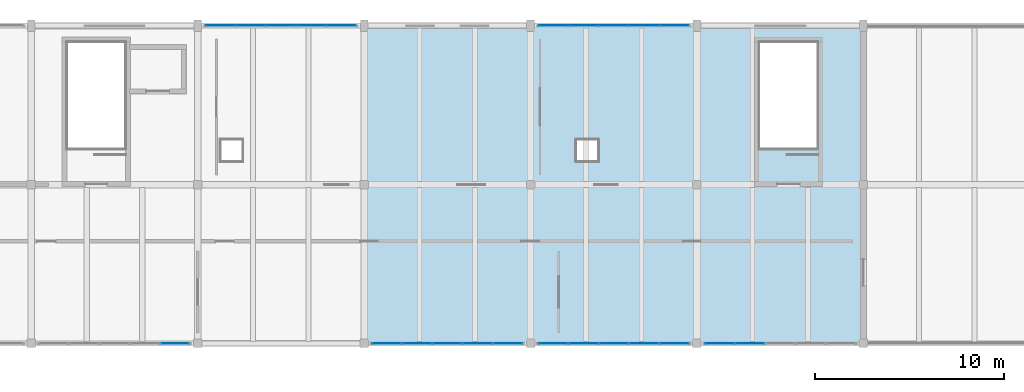
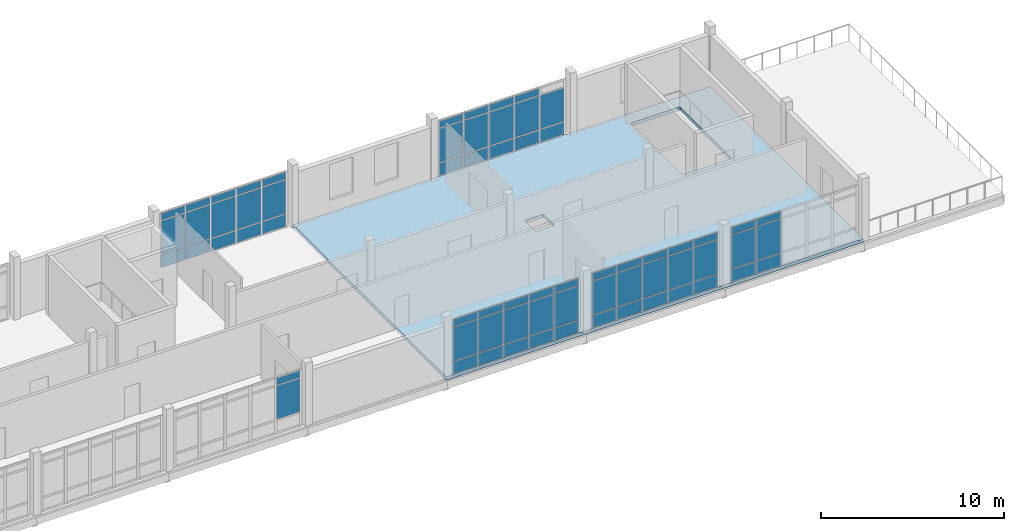
# One storey, part 10 of 13: 67 plates, 1 slab, 6 elements without a shape of their own.
"""IFC4 building model written with IfcOpenShell, lengths in metres."""

from ifc_helpers import new_model, si_unit, direction, frame, origin, origin_2d, place, context, subcontext, project, spatial, polyline, rectangle, outline, extrude, material, layer, layer_set, type_object, element, aggregate, save


model = new_model("IFC4")

# Units and contexts
model_context = context("Model", 3, precision=1e-05, world=origin(), true_north=direction((0.0, 1.0)))
body_context = subcontext(model_context, "Body", "Model", "MODEL_VIEW")
ifc_project = project(units=[si_unit("LENGTHUNIT", "METRE"), si_unit("AREAUNIT", "SQUARE_METRE"), si_unit("VOLUMEUNIT", "CUBIC_METRE"), si_unit("PLANEANGLEUNIT", "RADIAN"), si_unit("MASSUNIT", "GRAM", prefix="KILO")], contexts=[model_context])

# Site, building, storey
site_placement = place(None, origin())
site = spatial("IfcSite", under=ifc_project, at=site_placement, CompositionType="ELEMENT")
building_placement = place(site_placement, origin())
building = spatial("IfcBuilding", under=site, at=building_placement, Name="Cinderway Yard Community Centre", CompositionType="ELEMENT")
storey_placement = place(building_placement, frame((0.0, 0.0, 20.10009765625)))
storey = spatial("IfcBuildingStorey", under=building, at=storey_placement, Name="L05", CompositionType="ELEMENT", Elevation=20.10009765625)

# Curtain wall, plates
ifc_material_1 = material(Name="Aluminium 6063-T6", Category="aluminium")
curtain_wall_type = type_object("IfcCurtainWallType", Name="ENV-CW-TYPE-27", PredefinedType="USERDEFINED", material=ifc_material_1)
curtain_wall_1_placement = place(storey_placement, origin())
curtain_wall_1 = element("IfcCurtainWall", 1, at=curtain_wall_1_placement, inside=storey, type_object=curtain_wall_type, Name="V4 Courtyard Curtain Wall ENV-CW-L05-ST-0191", ObjectType="GLAZED CURTAIN WALL", PredefinedType="USERDEFINED")
ifc_material_2 = material(Name="Laminated Low-E Glass", Category="glass")
ifc_layer_1 = layer(ifc_material_2, 0.028076171875, Name="Laminated Low-E Glass")
ifc_layer_set_1 = layer_set([ifc_layer_1], Name="Laminated Low-E Glass")
plate_type = type_object("IfcPlateType", Name="ENV-CW-PAN-IGU28", PredefinedType="CURTAIN_PANEL", material=ifc_layer_set_1)
plate_1_placement = place(storey_placement, frame((82.801025390625, 98.39990234375, 0.9296875), z_axis=(0.0, 0.0, 1.0), x_axis=(1.0, 0.0, 0.0)))
plate_1 = element("IfcPlate", 2, at=plate_1_placement, type_object=plate_type, Name="CW-27 panel 5.2", PredefinedType="CURTAIN_PANEL", context=body_context, shape_type="SweptSolid", body=[
    extrude(rectangle(XDim=1.51806640625, YDim=0.028076171875, at=origin_2d()), origin(), (0.0, 0.0, 1.0), 2.239990234375),
])
plate_2_placement = place(storey_placement, frame((82.801025390625, 98.39990234375, 3.22998046875), z_axis=(0.0, 0.0, 1.0), x_axis=(1.0, 0.0, 0.0)))
plate_2 = element("IfcPlate", 3, at=plate_2_placement, type_object=plate_type, Name="CW-27 panel 5.3", PredefinedType="CURTAIN_PANEL", context=body_context, shape_type="SweptSolid", body=[
    extrude(rectangle(XDim=1.51806640625, YDim=0.028076171875, at=origin_2d()), origin(), (0.0, 0.0, 1.0), 0.4599609375),
])
aggregate(curtain_wall_1, [plate_1, plate_2])

curtain_wall_2_placement = place(storey_placement, origin())
curtain_wall_2 = element("IfcCurtainWall", 4, at=curtain_wall_2_placement, inside=storey, type_object=curtain_wall_type, Name="V4 Street Curtain Wall ENV-CW-L05-ST-0192", ObjectType="GLAZED CURTAIN WALL", PredefinedType="USERDEFINED")
plate_3_placement = place(storey_placement, frame((85.198974609375, 115.199951171875, 0.059814453125), z_axis=(0.0, 0.0, 1.0), x_axis=(1.0, 0.0, 0.0)))
plate_3 = element("IfcPlate", 5, at=plate_3_placement, type_object=plate_type, Name="CW-27 panel 1.1", PredefinedType="CURTAIN_PANEL", context=body_context, shape_type="SweptSolid", body=[
    extrude(rectangle(XDim=1.51806640625, YDim=0.028076171875, at=origin_2d()), origin(), (0.0, 0.0, 1.0), 0.81005859375),
])
plate_4_placement = place(storey_placement, frame((85.198974609375, 115.199951171875, 0.9296875), z_axis=(0.0, 0.0, 1.0), x_axis=(1.0, 0.0, 0.0)))
plate_4 = element("IfcPlate", 6, at=plate_4_placement, type_object=plate_type, Name="CW-27 panel 1.2", PredefinedType="CURTAIN_PANEL", context=body_context, shape_type="SweptSolid", body=[
    extrude(rectangle(XDim=1.51806640625, YDim=0.028076171875, at=origin_2d()), origin(), (0.0, 0.0, 1.0), 2.239990234375),
])
plate_5_placement = place(storey_placement, frame((85.198974609375, 115.199951171875, 3.22998046875), z_axis=(0.0, 0.0, 1.0), x_axis=(1.0, 0.0, 0.0)))
plate_5 = element("IfcPlate", 7, at=plate_5_placement, type_object=plate_type, Name="CW-27 panel 1.3", PredefinedType="CURTAIN_PANEL", context=body_context, shape_type="SweptSolid", body=[
    extrude(rectangle(XDim=1.51806640625, YDim=0.028076171875, at=origin_2d()), origin(), (0.0, 0.0, 1.0), 0.4599609375),
])
plate_6_placement = place(storey_placement, frame((86.7919921875, 115.199951171875, 0.059814453125), z_axis=(0.0, 0.0, 1.0), x_axis=(1.0, 0.0, 0.0)))
plate_6 = element("IfcPlate", 8, at=plate_6_placement, type_object=plate_type, Name="CW-27 panel 2.1", PredefinedType="CURTAIN_PANEL", context=body_context, shape_type="SweptSolid", body=[
    extrude(rectangle(XDim=1.548095703125, YDim=0.028076171875, at=origin_2d()), origin(), (0.0, 0.0, 1.0), 0.81005859375),
])
plate_7_placement = place(storey_placement, frame((86.7919921875, 115.199951171875, 0.9296875), z_axis=(0.0, 0.0, 1.0), x_axis=(1.0, 0.0, 0.0)))
plate_7 = element("IfcPlate", 9, at=plate_7_placement, type_object=plate_type, Name="CW-27 panel 2.2", PredefinedType="CURTAIN_PANEL", context=body_context, shape_type="SweptSolid", body=[
    extrude(rectangle(XDim=1.548095703125, YDim=0.028076171875, at=origin_2d()), origin(), (0.0, 0.0, 1.0), 2.239990234375),
])
plate_8_placement = place(storey_placement, frame((86.7919921875, 115.199951171875, 3.22998046875), z_axis=(0.0, 0.0, 1.0), x_axis=(1.0, 0.0, 0.0)))
plate_8 = element("IfcPlate", 10, at=plate_8_placement, type_object=plate_type, Name="CW-27 panel 2.3", PredefinedType="CURTAIN_PANEL", context=body_context, shape_type="SweptSolid", body=[
    extrude(rectangle(XDim=1.548095703125, YDim=0.028076171875, at=origin_2d()), origin(), (0.0, 0.0, 1.0), 0.4599609375),
])
plate_9_placement = place(storey_placement, frame((88.39990234375, 115.199951171875, 0.059814453125), z_axis=(0.0, 0.0, 1.0), x_axis=(1.0, 0.0, 0.0)))
plate_9 = element("IfcPlate", 11, at=plate_9_placement, type_object=plate_type, Name="CW-27 panel 3.1", PredefinedType="CURTAIN_PANEL", context=body_context, shape_type="SweptSolid", body=[
    extrude(rectangle(XDim=1.548095703125, YDim=0.028076171875, at=origin_2d()), origin(), (0.0, 0.0, 1.0), 0.81005859375),
])
plate_10_placement = place(storey_placement, frame((88.39990234375, 115.199951171875, 0.9296875), z_axis=(0.0, 0.0, 1.0), x_axis=(1.0, 0.0, 0.0)))
plate_10 = element("IfcPlate", 12, at=plate_10_placement, type_object=plate_type, Name="CW-27 panel 3.2", PredefinedType="CURTAIN_PANEL", context=body_context, shape_type="SweptSolid", body=[
    extrude(rectangle(XDim=1.548095703125, YDim=0.028076171875, at=origin_2d()), origin(), (0.0, 0.0, 1.0), 2.239990234375),
])
plate_11_placement = place(storey_placement, frame((88.39990234375, 115.199951171875, 3.22998046875), z_axis=(0.0, 0.0, 1.0), x_axis=(1.0, 0.0, 0.0)))
plate_11 = element("IfcPlate", 13, at=plate_11_placement, type_object=plate_type, Name="CW-27 panel 3.3", PredefinedType="CURTAIN_PANEL", context=body_context, shape_type="SweptSolid", body=[
    extrude(rectangle(XDim=1.548095703125, YDim=0.028076171875, at=origin_2d()), origin(), (0.0, 0.0, 1.0), 0.4599609375),
])
plate_12_placement = place(storey_placement, frame((90.008056640625, 115.199951171875, 0.059814453125), z_axis=(0.0, 0.0, 1.0), x_axis=(1.0, 0.0, 0.0)))
plate_12 = element("IfcPlate", 14, at=plate_12_placement, type_object=plate_type, Name="CW-27 panel 4.1", PredefinedType="CURTAIN_PANEL", context=body_context, shape_type="SweptSolid", body=[
    extrude(rectangle(XDim=1.548095703125, YDim=0.028076171875, at=origin_2d()), origin(), (0.0, 0.0, 1.0), 0.81005859375),
])
plate_13_placement = place(storey_placement, frame((90.008056640625, 115.199951171875, 0.9296875), z_axis=(0.0, 0.0, 1.0), x_axis=(1.0, 0.0, 0.0)))
plate_13 = element("IfcPlate", 15, at=plate_13_placement, type_object=plate_type, Name="CW-27 panel 4.2", PredefinedType="CURTAIN_PANEL", context=body_context, shape_type="SweptSolid", body=[
    extrude(rectangle(XDim=1.548095703125, YDim=0.028076171875, at=origin_2d()), origin(), (0.0, 0.0, 1.0), 2.239990234375),
])
plate_14_placement = place(storey_placement, frame((90.008056640625, 115.199951171875, 3.22998046875), z_axis=(0.0, 0.0, 1.0), x_axis=(1.0, 0.0, 0.0)))
plate_14 = element("IfcPlate", 16, at=plate_14_placement, type_object=plate_type, Name="CW-27 panel 4.3", PredefinedType="CURTAIN_PANEL", context=body_context, shape_type="SweptSolid", body=[
    extrude(rectangle(XDim=1.548095703125, YDim=0.028076171875, at=origin_2d()), origin(), (0.0, 0.0, 1.0), 0.4599609375),
])
plate_15_placement = place(storey_placement, frame((91.60107421875, 115.199951171875, 0.059814453125), z_axis=(0.0, 0.0, 1.0), x_axis=(1.0, 0.0, 0.0)))
plate_15 = element("IfcPlate", 17, at=plate_15_placement, type_object=plate_type, Name="CW-27 panel 5.1", PredefinedType="CURTAIN_PANEL", context=body_context, shape_type="SweptSolid", body=[
    extrude(rectangle(XDim=1.51806640625, YDim=0.028076171875, at=origin_2d()), origin(), (0.0, 0.0, 1.0), 0.81005859375),
])
plate_16_placement = place(storey_placement, frame((91.60107421875, 115.199951171875, 0.9296875), z_axis=(0.0, 0.0, 1.0), x_axis=(1.0, 0.0, 0.0)))
plate_16 = element("IfcPlate", 18, at=plate_16_placement, type_object=plate_type, Name="CW-27 panel 5.2", PredefinedType="CURTAIN_PANEL", context=body_context, shape_type="SweptSolid", body=[
    extrude(rectangle(XDim=1.51806640625, YDim=0.028076171875, at=origin_2d()), origin(), (0.0, 0.0, 1.0), 2.239990234375),
])
plate_17_placement = place(storey_placement, frame((91.60107421875, 115.199951171875, 3.22998046875), z_axis=(0.0, 0.0, 1.0), x_axis=(1.0, 0.0, 0.0)))
plate_17 = element("IfcPlate", 19, at=plate_17_placement, type_object=plate_type, Name="CW-27 panel 5.3", PredefinedType="CURTAIN_PANEL", context=body_context, shape_type="SweptSolid", body=[
    extrude(rectangle(XDim=1.51806640625, YDim=0.028076171875, at=origin_2d()), origin(), (0.0, 0.0, 1.0), 0.4599609375),
])
aggregate(curtain_wall_2, [plate_3, plate_4, plate_5, plate_6, plate_7, plate_8, plate_9, plate_10, plate_11, plate_12, plate_13, plate_14, plate_15, plate_16, plate_17])

curtain_wall_3_placement = place(storey_placement, origin())
curtain_wall_3 = element("IfcCurtainWall", 20, at=curtain_wall_3_placement, inside=storey, type_object=curtain_wall_type, Name="V4 Courtyard Curtain Wall ENV-CW-L05-ST-0193", ObjectType="GLAZED CURTAIN WALL", PredefinedType="USERDEFINED")
plate_18_placement = place(storey_placement, frame((93.9990234375, 98.39990234375, 0.059814453125), z_axis=(0.0, 0.0, 1.0), x_axis=(1.0, 0.0, 0.0)))
plate_18 = element("IfcPlate", 21, at=plate_18_placement, type_object=plate_type, Name="CW-27 panel 1.1", PredefinedType="CURTAIN_PANEL", context=body_context, shape_type="SweptSolid", body=[
    extrude(rectangle(XDim=1.51806640625, YDim=0.028076171875, at=origin_2d()), origin(), (0.0, 0.0, 1.0), 0.81005859375),
])
plate_19_placement = place(storey_placement, frame((93.9990234375, 98.39990234375, 0.9296875), z_axis=(0.0, 0.0, 1.0), x_axis=(1.0, 0.0, 0.0)))
plate_19 = element("IfcPlate", 22, at=plate_19_placement, type_object=plate_type, Name="CW-27 panel 1.2", PredefinedType="CURTAIN_PANEL", context=body_context, shape_type="SweptSolid", body=[
    extrude(rectangle(XDim=1.51806640625, YDim=0.028076171875, at=origin_2d()), origin(), (0.0, 0.0, 1.0), 2.239990234375),
])
plate_20_placement = place(storey_placement, frame((93.9990234375, 98.39990234375, 3.22998046875), z_axis=(0.0, 0.0, 1.0), x_axis=(1.0, 0.0, 0.0)))
plate_20 = element("IfcPlate", 23, at=plate_20_placement, type_object=plate_type, Name="CW-27 panel 1.3", PredefinedType="CURTAIN_PANEL", context=body_context, shape_type="SweptSolid", body=[
    extrude(rectangle(XDim=1.51806640625, YDim=0.028076171875, at=origin_2d()), origin(), (0.0, 0.0, 1.0), 0.4599609375),
])
plate_21_placement = place(storey_placement, frame((95.592041015625, 98.39990234375, 0.059814453125), z_axis=(0.0, 0.0, 1.0), x_axis=(1.0, 0.0, 0.0)))
plate_21 = element("IfcPlate", 24, at=plate_21_placement, type_object=plate_type, Name="CW-27 panel 2.1", PredefinedType="CURTAIN_PANEL", context=body_context, shape_type="SweptSolid", body=[
    extrude(rectangle(XDim=1.548095703125, YDim=0.028076171875, at=origin_2d()), origin(), (0.0, 0.0, 1.0), 0.81005859375),
])
plate_22_placement = place(storey_placement, frame((95.592041015625, 98.39990234375, 0.9296875), z_axis=(0.0, 0.0, 1.0), x_axis=(1.0, 0.0, 0.0)))
plate_22 = element("IfcPlate", 25, at=plate_22_placement, type_object=plate_type, Name="CW-27 panel 2.2", PredefinedType="CURTAIN_PANEL", context=body_context, shape_type="SweptSolid", body=[
    extrude(rectangle(XDim=1.548095703125, YDim=0.028076171875, at=origin_2d()), origin(), (0.0, 0.0, 1.0), 2.239990234375),
])
plate_23_placement = place(storey_placement, frame((95.592041015625, 98.39990234375, 3.22998046875), z_axis=(0.0, 0.0, 1.0), x_axis=(1.0, 0.0, 0.0)))
plate_23 = element("IfcPlate", 26, at=plate_23_placement, type_object=plate_type, Name="CW-27 panel 2.3", PredefinedType="CURTAIN_PANEL", context=body_context, shape_type="SweptSolid", body=[
    extrude(rectangle(XDim=1.548095703125, YDim=0.028076171875, at=origin_2d()), origin(), (0.0, 0.0, 1.0), 0.4599609375),
])
plate_24_placement = place(storey_placement, frame((97.199951171875, 98.39990234375, 0.059814453125), z_axis=(0.0, 0.0, 1.0), x_axis=(1.0, 0.0, 0.0)))
plate_24 = element("IfcPlate", 27, at=plate_24_placement, type_object=plate_type, Name="CW-27 panel 3.1", PredefinedType="CURTAIN_PANEL", context=body_context, shape_type="SweptSolid", body=[
    extrude(rectangle(XDim=1.548095703125, YDim=0.028076171875, at=origin_2d()), origin(), (0.0, 0.0, 1.0), 0.81005859375),
])
plate_25_placement = place(storey_placement, frame((97.199951171875, 98.39990234375, 0.9296875), z_axis=(0.0, 0.0, 1.0), x_axis=(1.0, 0.0, 0.0)))
plate_25 = element("IfcPlate", 28, at=plate_25_placement, type_object=plate_type, Name="CW-27 panel 3.2", PredefinedType="CURTAIN_PANEL", context=body_context, shape_type="SweptSolid", body=[
    extrude(rectangle(XDim=1.548095703125, YDim=0.028076171875, at=origin_2d()), origin(), (0.0, 0.0, 1.0), 2.239990234375),
])
plate_26_placement = place(storey_placement, frame((97.199951171875, 98.39990234375, 3.22998046875), z_axis=(0.0, 0.0, 1.0), x_axis=(1.0, 0.0, 0.0)))
plate_26 = element("IfcPlate", 29, at=plate_26_placement, type_object=plate_type, Name="CW-27 panel 3.3", PredefinedType="CURTAIN_PANEL", context=body_context, shape_type="SweptSolid", body=[
    extrude(rectangle(XDim=1.548095703125, YDim=0.028076171875, at=origin_2d()), origin(), (0.0, 0.0, 1.0), 0.4599609375),
])
plate_27_placement = place(storey_placement, frame((98.80810546875, 98.39990234375, 0.059814453125), z_axis=(0.0, 0.0, 1.0), x_axis=(1.0, 0.0, 0.0)))
plate_27 = element("IfcPlate", 30, at=plate_27_placement, type_object=plate_type, Name="CW-27 panel 4.1", PredefinedType="CURTAIN_PANEL", context=body_context, shape_type="SweptSolid", body=[
    extrude(rectangle(XDim=1.548095703125, YDim=0.028076171875, at=origin_2d()), origin(), (0.0, 0.0, 1.0), 0.81005859375),
])
plate_28_placement = place(storey_placement, frame((98.80810546875, 98.39990234375, 0.9296875), z_axis=(0.0, 0.0, 1.0), x_axis=(1.0, 0.0, 0.0)))
plate_28 = element("IfcPlate", 31, at=plate_28_placement, type_object=plate_type, Name="CW-27 panel 4.2", PredefinedType="CURTAIN_PANEL", context=body_context, shape_type="SweptSolid", body=[
    extrude(rectangle(XDim=1.548095703125, YDim=0.028076171875, at=origin_2d()), origin(), (0.0, 0.0, 1.0), 2.239990234375),
])
plate_29_placement = place(storey_placement, frame((98.80810546875, 98.39990234375, 3.22998046875), z_axis=(0.0, 0.0, 1.0), x_axis=(1.0, 0.0, 0.0)))
plate_29 = element("IfcPlate", 32, at=plate_29_placement, type_object=plate_type, Name="CW-27 panel 4.3", PredefinedType="CURTAIN_PANEL", context=body_context, shape_type="SweptSolid", body=[
    extrude(rectangle(XDim=1.548095703125, YDim=0.028076171875, at=origin_2d()), origin(), (0.0, 0.0, 1.0), 0.4599609375),
])
plate_30_placement = place(storey_placement, frame((100.40087890625, 98.39990234375, 0.059814453125), z_axis=(0.0, 0.0, 1.0), x_axis=(1.0, 0.0, 0.0)))
plate_30 = element("IfcPlate", 33, at=plate_30_placement, type_object=plate_type, Name="CW-27 panel 5.1", PredefinedType="CURTAIN_PANEL", context=body_context, shape_type="SweptSolid", body=[
    extrude(rectangle(XDim=1.51806640625, YDim=0.028076171875, at=origin_2d()), origin(), (0.0, 0.0, 1.0), 0.81005859375),
])
plate_31_placement = place(storey_placement, frame((100.40087890625, 98.39990234375, 0.9296875), z_axis=(0.0, 0.0, 1.0), x_axis=(1.0, 0.0, 0.0)))
plate_31 = element("IfcPlate", 34, at=plate_31_placement, type_object=plate_type, Name="CW-27 panel 5.2", PredefinedType="CURTAIN_PANEL", context=body_context, shape_type="SweptSolid", body=[
    extrude(rectangle(XDim=1.51806640625, YDim=0.028076171875, at=origin_2d()), origin(), (0.0, 0.0, 1.0), 2.239990234375),
])
plate_32_placement = place(storey_placement, frame((100.40087890625, 98.39990234375, 3.22998046875), z_axis=(0.0, 0.0, 1.0), x_axis=(1.0, 0.0, 0.0)))
plate_32 = element("IfcPlate", 35, at=plate_32_placement, type_object=plate_type, Name="CW-27 panel 5.3", PredefinedType="CURTAIN_PANEL", context=body_context, shape_type="SweptSolid", body=[
    extrude(rectangle(XDim=1.51806640625, YDim=0.028076171875, at=origin_2d()), origin(), (0.0, 0.0, 1.0), 0.4599609375),
])
aggregate(curtain_wall_3, [plate_18, plate_19, plate_20, plate_21, plate_22, plate_23, plate_24, plate_25, plate_26, plate_27, plate_28, plate_29, plate_30, plate_31, plate_32])

curtain_wall_4_placement = place(storey_placement, origin())
curtain_wall_4 = element("IfcCurtainWall", 36, at=curtain_wall_4_placement, inside=storey, type_object=curtain_wall_type, Name="V4 Street Curtain Wall ENV-CW-L05-ST-0194", ObjectType="GLAZED CURTAIN WALL", PredefinedType="USERDEFINED")
plate_33_placement = place(storey_placement, frame((102.799072265625, 115.199951171875, 0.059814453125), z_axis=(0.0, 0.0, 1.0), x_axis=(1.0, 0.0, 0.0)))
plate_33 = element("IfcPlate", 37, at=plate_33_placement, type_object=plate_type, Name="CW-27 panel 1.1", PredefinedType="CURTAIN_PANEL", context=body_context, shape_type="SweptSolid", body=[
    extrude(rectangle(XDim=1.51806640625, YDim=0.028076171875, at=origin_2d()), origin(), (0.0, 0.0, 1.0), 0.81005859375),
])
plate_34_placement = place(storey_placement, frame((102.799072265625, 115.199951171875, 0.9296875), z_axis=(0.0, 0.0, 1.0), x_axis=(1.0, 0.0, 0.0)))
plate_34 = element("IfcPlate", 38, at=plate_34_placement, type_object=plate_type, Name="CW-27 panel 1.2", PredefinedType="CURTAIN_PANEL", context=body_context, shape_type="SweptSolid", body=[
    extrude(rectangle(XDim=1.51806640625, YDim=0.028076171875, at=origin_2d()), origin(), (0.0, 0.0, 1.0), 2.239990234375),
])
plate_35_placement = place(storey_placement, frame((102.799072265625, 115.199951171875, 3.22998046875), z_axis=(0.0, 0.0, 1.0), x_axis=(1.0, 0.0, 0.0)))
plate_35 = element("IfcPlate", 39, at=plate_35_placement, type_object=plate_type, Name="CW-27 panel 1.3", PredefinedType="CURTAIN_PANEL", context=body_context, shape_type="SweptSolid", body=[
    extrude(rectangle(XDim=1.51806640625, YDim=0.028076171875, at=origin_2d()), origin(), (0.0, 0.0, 1.0), 0.4599609375),
])
plate_36_placement = place(storey_placement, frame((104.39208984375, 115.199951171875, 0.059814453125), z_axis=(0.0, 0.0, 1.0), x_axis=(1.0, 0.0, 0.0)))
plate_36 = element("IfcPlate", 40, at=plate_36_placement, type_object=plate_type, Name="CW-27 panel 2.1", PredefinedType="CURTAIN_PANEL", context=body_context, shape_type="SweptSolid", body=[
    extrude(rectangle(XDim=1.548095703125, YDim=0.028076171875, at=origin_2d()), origin(), (0.0, 0.0, 1.0), 0.81005859375),
])
plate_37_placement = place(storey_placement, frame((104.39208984375, 115.199951171875, 0.9296875), z_axis=(0.0, 0.0, 1.0), x_axis=(1.0, 0.0, 0.0)))
plate_37 = element("IfcPlate", 41, at=plate_37_placement, type_object=plate_type, Name="CW-27 panel 2.2", PredefinedType="CURTAIN_PANEL", context=body_context, shape_type="SweptSolid", body=[
    extrude(rectangle(XDim=1.548095703125, YDim=0.028076171875, at=origin_2d()), origin(), (0.0, 0.0, 1.0), 2.239990234375),
])
plate_38_placement = place(storey_placement, frame((104.39208984375, 115.199951171875, 3.22998046875), z_axis=(0.0, 0.0, 1.0), x_axis=(1.0, 0.0, 0.0)))
plate_38 = element("IfcPlate", 42, at=plate_38_placement, type_object=plate_type, Name="CW-27 panel 2.3", PredefinedType="CURTAIN_PANEL", context=body_context, shape_type="SweptSolid", body=[
    extrude(rectangle(XDim=1.548095703125, YDim=0.028076171875, at=origin_2d()), origin(), (0.0, 0.0, 1.0), 0.4599609375),
])
plate_39_placement = place(storey_placement, frame((106.0, 115.199951171875, 0.059814453125), z_axis=(0.0, 0.0, 1.0), x_axis=(1.0, 0.0, 0.0)))
plate_39 = element("IfcPlate", 43, at=plate_39_placement, type_object=plate_type, Name="CW-27 panel 3.1", PredefinedType="CURTAIN_PANEL", context=body_context, shape_type="SweptSolid", body=[
    extrude(rectangle(XDim=1.548095703125, YDim=0.028076171875, at=origin_2d()), origin(), (0.0, 0.0, 1.0), 0.81005859375),
])
plate_40_placement = place(storey_placement, frame((106.0, 115.199951171875, 0.9296875), z_axis=(0.0, 0.0, 1.0), x_axis=(1.0, 0.0, 0.0)))
plate_40 = element("IfcPlate", 44, at=plate_40_placement, type_object=plate_type, Name="CW-27 panel 3.2", PredefinedType="CURTAIN_PANEL", context=body_context, shape_type="SweptSolid", body=[
    extrude(rectangle(XDim=1.548095703125, YDim=0.028076171875, at=origin_2d()), origin(), (0.0, 0.0, 1.0), 2.239990234375),
])
plate_41_placement = place(storey_placement, frame((106.0, 115.199951171875, 3.22998046875), z_axis=(0.0, 0.0, 1.0), x_axis=(1.0, 0.0, 0.0)))
plate_41 = element("IfcPlate", 45, at=plate_41_placement, type_object=plate_type, Name="CW-27 panel 3.3", PredefinedType="CURTAIN_PANEL", context=body_context, shape_type="SweptSolid", body=[
    extrude(rectangle(XDim=1.548095703125, YDim=0.028076171875, at=origin_2d()), origin(), (0.0, 0.0, 1.0), 0.4599609375),
])
plate_42_placement = place(storey_placement, frame((107.60791015625, 115.199951171875, 0.059814453125), z_axis=(0.0, 0.0, 1.0), x_axis=(1.0, 0.0, 0.0)))
plate_42 = element("IfcPlate", 46, at=plate_42_placement, type_object=plate_type, Name="CW-27 panel 4.1", PredefinedType="CURTAIN_PANEL", context=body_context, shape_type="SweptSolid", body=[
    extrude(rectangle(XDim=1.548095703125, YDim=0.028076171875, at=origin_2d()), origin(), (0.0, 0.0, 1.0), 0.81005859375),
])
plate_43_placement = place(storey_placement, frame((107.60791015625, 115.199951171875, 0.9296875), z_axis=(0.0, 0.0, 1.0), x_axis=(1.0, 0.0, 0.0)))
plate_43 = element("IfcPlate", 47, at=plate_43_placement, type_object=plate_type, Name="CW-27 panel 4.2", PredefinedType="CURTAIN_PANEL", context=body_context, shape_type="SweptSolid", body=[
    extrude(rectangle(XDim=1.548095703125, YDim=0.028076171875, at=origin_2d()), origin(), (0.0, 0.0, 1.0), 2.239990234375),
])
plate_44_placement = place(storey_placement, frame((107.60791015625, 115.199951171875, 3.22998046875), z_axis=(0.0, 0.0, 1.0), x_axis=(1.0, 0.0, 0.0)))
plate_44 = element("IfcPlate", 48, at=plate_44_placement, type_object=plate_type, Name="CW-27 panel 4.3", PredefinedType="CURTAIN_PANEL", context=body_context, shape_type="SweptSolid", body=[
    extrude(rectangle(XDim=1.548095703125, YDim=0.028076171875, at=origin_2d()), origin(), (0.0, 0.0, 1.0), 0.4599609375),
])
plate_45_placement = place(storey_placement, frame((109.200927734375, 115.199951171875, 0.059814453125), z_axis=(0.0, 0.0, 1.0), x_axis=(1.0, 0.0, 0.0)))
plate_45 = element("IfcPlate", 49, at=plate_45_placement, type_object=plate_type, Name="CW-27 panel 5.1", PredefinedType="CURTAIN_PANEL", context=body_context, shape_type="SweptSolid", body=[
    extrude(rectangle(XDim=1.51806640625, YDim=0.028076171875, at=origin_2d()), origin(), (0.0, 0.0, 1.0), 0.81005859375),
])
plate_46_placement = place(storey_placement, frame((109.200927734375, 115.199951171875, 0.9296875), z_axis=(0.0, 0.0, 1.0), x_axis=(1.0, 0.0, 0.0)))
plate_46 = element("IfcPlate", 50, at=plate_46_placement, type_object=plate_type, Name="CW-27 panel 5.2", PredefinedType="CURTAIN_PANEL", context=body_context, shape_type="SweptSolid", body=[
    extrude(rectangle(XDim=1.51806640625, YDim=0.028076171875, at=origin_2d()), origin(), (0.0, 0.0, 1.0), 2.239990234375),
])
aggregate(curtain_wall_4, [plate_33, plate_34, plate_35, plate_36, plate_37, plate_38, plate_39, plate_40, plate_41, plate_42, plate_43, plate_44, plate_45, plate_46])

curtain_wall_5_placement = place(storey_placement, origin())
curtain_wall_5 = element("IfcCurtainWall", 51, at=curtain_wall_5_placement, inside=storey, type_object=curtain_wall_type, Name="V4 Courtyard Curtain Wall ENV-CW-L05-ST-0195", ObjectType="GLAZED CURTAIN WALL", PredefinedType="USERDEFINED")
plate_47_placement = place(storey_placement, frame((102.799072265625, 98.39990234375, 0.059814453125), z_axis=(0.0, 0.0, 1.0), x_axis=(1.0, 0.0, 0.0)))
plate_47 = element("IfcPlate", 52, at=plate_47_placement, type_object=plate_type, Name="CW-27 panel 1.1", PredefinedType="CURTAIN_PANEL", context=body_context, shape_type="SweptSolid", body=[
    extrude(rectangle(XDim=1.51806640625, YDim=0.028076171875, at=origin_2d()), origin(), (0.0, 0.0, 1.0), 0.81005859375),
])
plate_48_placement = place(storey_placement, frame((102.799072265625, 98.39990234375, 0.9296875), z_axis=(0.0, 0.0, 1.0), x_axis=(1.0, 0.0, 0.0)))
plate_48 = element("IfcPlate", 53, at=plate_48_placement, type_object=plate_type, Name="CW-27 panel 1.2", PredefinedType="CURTAIN_PANEL", context=body_context, shape_type="SweptSolid", body=[
    extrude(rectangle(XDim=1.51806640625, YDim=0.028076171875, at=origin_2d()), origin(), (0.0, 0.0, 1.0), 2.239990234375),
])
plate_49_placement = place(storey_placement, frame((102.799072265625, 98.39990234375, 3.22998046875), z_axis=(0.0, 0.0, 1.0), x_axis=(1.0, 0.0, 0.0)))
plate_49 = element("IfcPlate", 54, at=plate_49_placement, type_object=plate_type, Name="CW-27 panel 1.3", PredefinedType="CURTAIN_PANEL", context=body_context, shape_type="SweptSolid", body=[
    extrude(rectangle(XDim=1.51806640625, YDim=0.028076171875, at=origin_2d()), origin(), (0.0, 0.0, 1.0), 0.4599609375),
])
plate_50_placement = place(storey_placement, frame((104.39208984375, 98.39990234375, 0.059814453125), z_axis=(0.0, 0.0, 1.0), x_axis=(1.0, 0.0, 0.0)))
plate_50 = element("IfcPlate", 55, at=plate_50_placement, type_object=plate_type, Name="CW-27 panel 2.1", PredefinedType="CURTAIN_PANEL", context=body_context, shape_type="SweptSolid", body=[
    extrude(rectangle(XDim=1.548095703125, YDim=0.028076171875, at=origin_2d()), origin(), (0.0, 0.0, 1.0), 0.81005859375),
])
plate_51_placement = place(storey_placement, frame((104.39208984375, 98.39990234375, 0.9296875), z_axis=(0.0, 0.0, 1.0), x_axis=(1.0, 0.0, 0.0)))
plate_51 = element("IfcPlate", 56, at=plate_51_placement, type_object=plate_type, Name="CW-27 panel 2.2", PredefinedType="CURTAIN_PANEL", context=body_context, shape_type="SweptSolid", body=[
    extrude(rectangle(XDim=1.548095703125, YDim=0.028076171875, at=origin_2d()), origin(), (0.0, 0.0, 1.0), 2.239990234375),
])
plate_52_placement = place(storey_placement, frame((104.39208984375, 98.39990234375, 3.22998046875), z_axis=(0.0, 0.0, 1.0), x_axis=(1.0, 0.0, 0.0)))
plate_52 = element("IfcPlate", 57, at=plate_52_placement, type_object=plate_type, Name="CW-27 panel 2.3", PredefinedType="CURTAIN_PANEL", context=body_context, shape_type="SweptSolid", body=[
    extrude(rectangle(XDim=1.548095703125, YDim=0.028076171875, at=origin_2d()), origin(), (0.0, 0.0, 1.0), 0.4599609375),
])
plate_53_placement = place(storey_placement, frame((106.0, 98.39990234375, 0.059814453125), z_axis=(0.0, 0.0, 1.0), x_axis=(1.0, 0.0, 0.0)))
plate_53 = element("IfcPlate", 58, at=plate_53_placement, type_object=plate_type, Name="CW-27 panel 3.1", PredefinedType="CURTAIN_PANEL", context=body_context, shape_type="SweptSolid", body=[
    extrude(rectangle(XDim=1.548095703125, YDim=0.028076171875, at=origin_2d()), origin(), (0.0, 0.0, 1.0), 0.81005859375),
])
plate_54_placement = place(storey_placement, frame((106.0, 98.39990234375, 0.9296875), z_axis=(0.0, 0.0, 1.0), x_axis=(1.0, 0.0, 0.0)))
plate_54 = element("IfcPlate", 59, at=plate_54_placement, type_object=plate_type, Name="CW-27 panel 3.2", PredefinedType="CURTAIN_PANEL", context=body_context, shape_type="SweptSolid", body=[
    extrude(rectangle(XDim=1.548095703125, YDim=0.028076171875, at=origin_2d()), origin(), (0.0, 0.0, 1.0), 2.239990234375),
])
plate_55_placement = place(storey_placement, frame((106.0, 98.39990234375, 3.22998046875), z_axis=(0.0, 0.0, 1.0), x_axis=(1.0, 0.0, 0.0)))
plate_55 = element("IfcPlate", 60, at=plate_55_placement, type_object=plate_type, Name="CW-27 panel 3.3", PredefinedType="CURTAIN_PANEL", context=body_context, shape_type="SweptSolid", body=[
    extrude(rectangle(XDim=1.548095703125, YDim=0.028076171875, at=origin_2d()), origin(), (0.0, 0.0, 1.0), 0.4599609375),
])
plate_56_placement = place(storey_placement, frame((107.60791015625, 98.39990234375, 0.059814453125), z_axis=(0.0, 0.0, 1.0), x_axis=(1.0, 0.0, 0.0)))
plate_56 = element("IfcPlate", 61, at=plate_56_placement, type_object=plate_type, Name="CW-27 panel 4.1", PredefinedType="CURTAIN_PANEL", context=body_context, shape_type="SweptSolid", body=[
    extrude(rectangle(XDim=1.548095703125, YDim=0.028076171875, at=origin_2d()), origin(), (0.0, 0.0, 1.0), 0.81005859375),
])
plate_57_placement = place(storey_placement, frame((107.60791015625, 98.39990234375, 0.9296875), z_axis=(0.0, 0.0, 1.0), x_axis=(1.0, 0.0, 0.0)))
plate_57 = element("IfcPlate", 62, at=plate_57_placement, type_object=plate_type, Name="CW-27 panel 4.2", PredefinedType="CURTAIN_PANEL", context=body_context, shape_type="SweptSolid", body=[
    extrude(rectangle(XDim=1.548095703125, YDim=0.028076171875, at=origin_2d()), origin(), (0.0, 0.0, 1.0), 2.239990234375),
])
plate_58_placement = place(storey_placement, frame((107.60791015625, 98.39990234375, 3.22998046875), z_axis=(0.0, 0.0, 1.0), x_axis=(1.0, 0.0, 0.0)))
plate_58 = element("IfcPlate", 63, at=plate_58_placement, type_object=plate_type, Name="CW-27 panel 4.3", PredefinedType="CURTAIN_PANEL", context=body_context, shape_type="SweptSolid", body=[
    extrude(rectangle(XDim=1.548095703125, YDim=0.028076171875, at=origin_2d()), origin(), (0.0, 0.0, 1.0), 0.4599609375),
])
plate_59_placement = place(storey_placement, frame((109.200927734375, 98.39990234375, 0.059814453125), z_axis=(0.0, 0.0, 1.0), x_axis=(1.0, 0.0, 0.0)))
plate_59 = element("IfcPlate", 64, at=plate_59_placement, type_object=plate_type, Name="CW-27 panel 5.1", PredefinedType="CURTAIN_PANEL", context=body_context, shape_type="SweptSolid", body=[
    extrude(rectangle(XDim=1.51806640625, YDim=0.028076171875, at=origin_2d()), origin(), (0.0, 0.0, 1.0), 0.81005859375),
])
plate_60_placement = place(storey_placement, frame((109.200927734375, 98.39990234375, 0.9296875), z_axis=(0.0, 0.0, 1.0), x_axis=(1.0, 0.0, 0.0)))
plate_60 = element("IfcPlate", 65, at=plate_60_placement, type_object=plate_type, Name="CW-27 panel 5.2", PredefinedType="CURTAIN_PANEL", context=body_context, shape_type="SweptSolid", body=[
    extrude(rectangle(XDim=1.51806640625, YDim=0.028076171875, at=origin_2d()), origin(), (0.0, 0.0, 1.0), 2.239990234375),
])
plate_61_placement = place(storey_placement, frame((109.200927734375, 98.39990234375, 3.22998046875), z_axis=(0.0, 0.0, 1.0), x_axis=(1.0, 0.0, 0.0)))
plate_61 = element("IfcPlate", 66, at=plate_61_placement, type_object=plate_type, Name="CW-27 panel 5.3", PredefinedType="CURTAIN_PANEL", context=body_context, shape_type="SweptSolid", body=[
    extrude(rectangle(XDim=1.51806640625, YDim=0.028076171875, at=origin_2d()), origin(), (0.0, 0.0, 1.0), 0.4599609375),
])
aggregate(curtain_wall_5, [plate_47, plate_48, plate_49, plate_50, plate_51, plate_52, plate_53, plate_54, plate_55, plate_56, plate_57, plate_58, plate_59, plate_60, plate_61])

curtain_wall_6_placement = place(storey_placement, origin())
curtain_wall_6 = element("IfcCurtainWall", 67, at=curtain_wall_6_placement, inside=storey, type_object=curtain_wall_type, Name="V4 Courtyard Curtain Wall ENV-CW-L05-ST-0196", ObjectType="GLAZED CURTAIN WALL", PredefinedType="USERDEFINED")
plate_62_placement = place(storey_placement, frame((111.59912109375, 98.39990234375, 0.059814453125), z_axis=(0.0, 0.0, 1.0), x_axis=(1.0, 0.0, 0.0)))
plate_62 = element("IfcPlate", 68, at=plate_62_placement, type_object=plate_type, Name="CW-27 panel 1.1", PredefinedType="CURTAIN_PANEL", context=body_context, shape_type="SweptSolid", body=[
    extrude(rectangle(XDim=1.51806640625, YDim=0.028076171875, at=origin_2d()), origin(), (0.0, 0.0, 1.0), 0.81005859375),
])
plate_63_placement = place(storey_placement, frame((111.59912109375, 98.39990234375, 0.9296875), z_axis=(0.0, 0.0, 1.0), x_axis=(1.0, 0.0, 0.0)))
plate_63 = element("IfcPlate", 69, at=plate_63_placement, type_object=plate_type, Name="CW-27 panel 1.2", PredefinedType="CURTAIN_PANEL", context=body_context, shape_type="SweptSolid", body=[
    extrude(rectangle(XDim=1.51806640625, YDim=0.028076171875, at=origin_2d()), origin(), (0.0, 0.0, 1.0), 2.239990234375),
])
plate_64_placement = place(storey_placement, frame((111.59912109375, 98.39990234375, 3.22998046875), z_axis=(0.0, 0.0, 1.0), x_axis=(1.0, 0.0, 0.0)))
plate_64 = element("IfcPlate", 70, at=plate_64_placement, type_object=plate_type, Name="CW-27 panel 1.3", PredefinedType="CURTAIN_PANEL", context=body_context, shape_type="SweptSolid", body=[
    extrude(rectangle(XDim=1.51806640625, YDim=0.028076171875, at=origin_2d()), origin(), (0.0, 0.0, 1.0), 0.4599609375),
])
plate_65_placement = place(storey_placement, frame((113.19189453125, 98.39990234375, 0.059814453125), z_axis=(0.0, 0.0, 1.0), x_axis=(1.0, 0.0, 0.0)))
plate_65 = element("IfcPlate", 71, at=plate_65_placement, type_object=plate_type, Name="CW-27 panel 2.1", PredefinedType="CURTAIN_PANEL", context=body_context, shape_type="SweptSolid", body=[
    extrude(rectangle(XDim=1.548095703125, YDim=0.028076171875, at=origin_2d()), origin(), (0.0, 0.0, 1.0), 0.81005859375),
])
plate_66_placement = place(storey_placement, frame((113.19189453125, 98.39990234375, 0.9296875), z_axis=(0.0, 0.0, 1.0), x_axis=(1.0, 0.0, 0.0)))
plate_66 = element("IfcPlate", 72, at=plate_66_placement, type_object=plate_type, Name="CW-27 panel 2.2", PredefinedType="CURTAIN_PANEL", context=body_context, shape_type="SweptSolid", body=[
    extrude(rectangle(XDim=1.548095703125, YDim=0.028076171875, at=origin_2d()), origin(), (0.0, 0.0, 1.0), 2.239990234375),
])
plate_67_placement = place(storey_placement, frame((113.19189453125, 98.39990234375, 3.22998046875), z_axis=(0.0, 0.0, 1.0), x_axis=(1.0, 0.0, 0.0)))
plate_67 = element("IfcPlate", 73, at=plate_67_placement, type_object=plate_type, Name="CW-27 panel 2.3", PredefinedType="CURTAIN_PANEL", context=body_context, shape_type="SweptSolid", body=[
    extrude(rectangle(XDim=1.548095703125, YDim=0.028076171875, at=origin_2d()), origin(), (0.0, 0.0, 1.0), 0.4599609375),
])
aggregate(curtain_wall_6, [plate_62, plate_63, plate_64, plate_65, plate_66, plate_67])

# Slab
ifc_material_3 = material(Name="Concrete C35/45", Category="concrete")
ifc_layer_2 = layer(ifc_material_3, 0.219970703125, Name="Concrete C35/45")
ifc_layer_set_2 = layer_set([ifc_layer_2], Name="Concrete C35/45")
slab_type = type_object("IfcSlabType", Name="STR-SLAB-FLR-220", PredefinedType="FLOOR", material=ifc_layer_set_2)
slab_placement = place(storey_placement, frame((0.0, 0.0, -0.22021484375)))
element("IfcSlab", 74, at=slab_placement, inside=storey, type_object=slab_type, Name="V4 East Admin Slab L05 STR-SLAB-L05-046", PredefinedType="FLOOR", context=body_context, shape_type="SweptSolid", body=[
    extrude(outline(polyline([(92.800048828125, 98.39990234375), (119.199951171875, 98.39990234375), (119.199951171875, 115.199951171875), (92.800048828125, 115.199951171875), (92.800048828125, 98.39990234375)]), holes=[polyline([(116.800048828125, 108.669921875), (116.800048828125, 114.35009765625), (113.679931640625, 114.35009765625), (113.679931640625, 108.669921875), (116.800048828125, 108.669921875)]), polyline([(104.0, 108.0), (105.199951171875, 108.0), (105.199951171875, 109.199951171875), (104.0, 109.199951171875), (104.0, 108.0)])]), origin(), (0.0, 0.0, 1.0), 0.22021484375),
])

save(model, "model.ifc")
